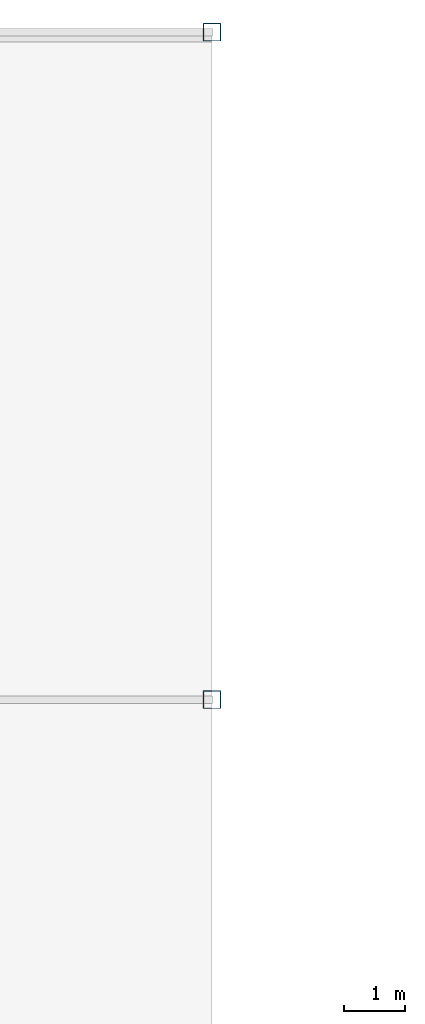
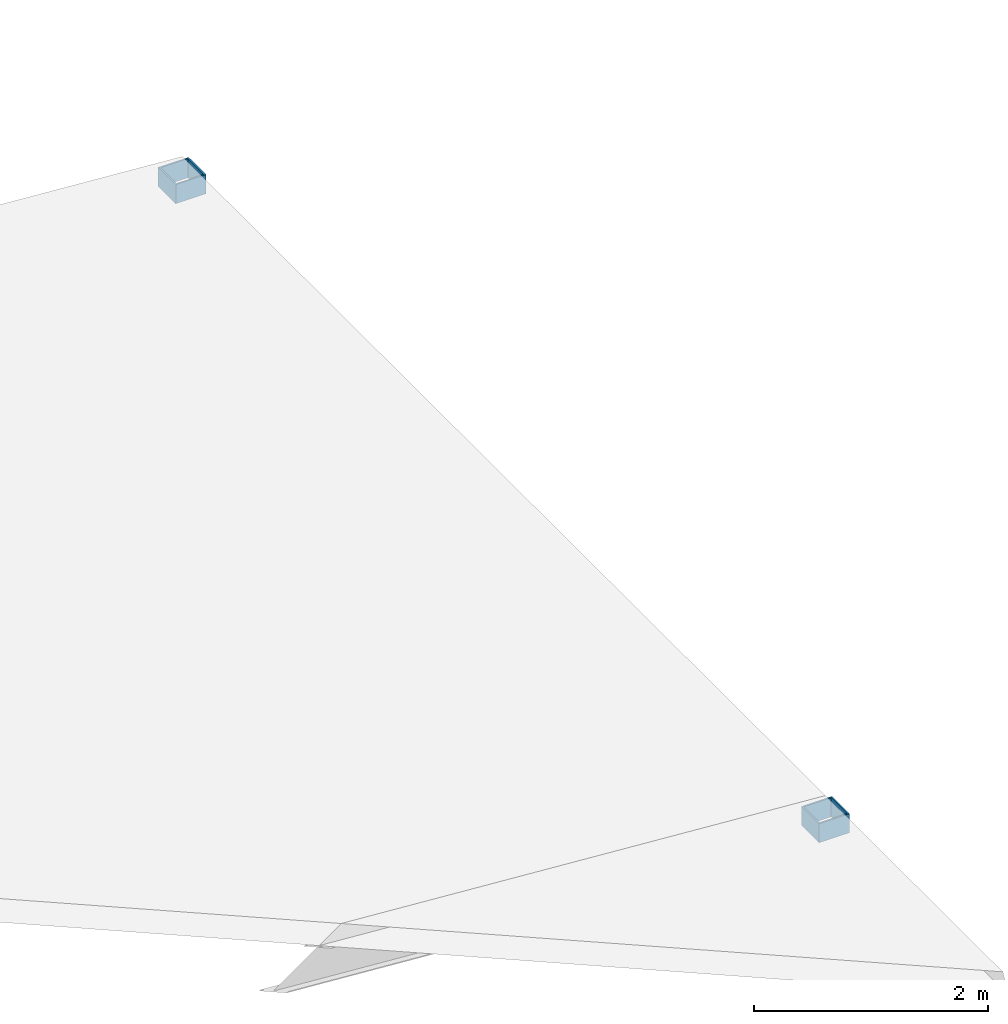
# One storey, part 22 of 118: 2 columns.
"""IFC4 building model written with IfcOpenShell, lengths in metres."""

from ifc_helpers import new_model, si_unit, direction, frame, origin, origin_2d, place, context, subcontext, project, spatial, hollow_rectangle, extrude, material, material_profile, profile_set, type_object, element, save


model = new_model("IFC4")

# Units and contexts
model_context = context("Model", 3, precision=1e-05, world=origin(), true_north=direction((0.0, 1.0)))
body_context = subcontext(model_context, "Body", "Model", "MODEL_VIEW")
ifc_project = project(units=[si_unit("LENGTHUNIT", "METRE"), si_unit("AREAUNIT", "SQUARE_METRE"), si_unit("VOLUMEUNIT", "CUBIC_METRE"), si_unit("PLANEANGLEUNIT", "RADIAN"), si_unit("MASSUNIT", "GRAM", prefix="KILO")], contexts=[model_context])

# Site, building, storey
site_placement = place(None, origin())
site = spatial("IfcSite", under=ifc_project, at=site_placement, CompositionType="ELEMENT")
building_placement = place(site_placement, origin())
building = spatial("IfcBuilding", under=site, at=building_placement, Name="Luwafu Chhajja Arena", CompositionType="ELEMENT")
storey_placement = place(building_placement, frame((0.0, 0.0, 10.199951171875)))
storey = spatial("IfcBuildingStorey", under=building, at=storey_placement, Name="L02", CompositionType="ELEMENT", Elevation=10.199951171875)

# Columns
ifc_material = material(Name="Steel S355", Category="steel")
ifc_material_profile = material_profile(ifc_material, hollow_rectangle(XDim=0.300048828125, YDim=0.300048828125, WallThickness=0.01611328125, at=origin_2d()), Name="SHS 300x300x16")
ifc_profile_set = profile_set([ifc_material_profile], Name="Steel S355")
column_type = type_object("IfcColumnType", Name="Steel Gallery Post SHS 300", PredefinedType="COLUMN", material=ifc_profile_set)
for number, where, z_axis, x_axis, name in (
    (1, (58.0, 110.0, 0.0), (0.0, 0.0, 1.0), (1.0, 0.0, 0.0), "L02 Cloister Post 4/10B"),
    (2, (58.0, 121.0, 0.0), (0.0, 0.0, 1.0), (1.0, 0.0, 0.0), "L02 Cloister Post 4/11B"),
):
    element("IfcColumn", number, at=place(storey_placement, frame(where, z_axis=z_axis, x_axis=x_axis)), inside=storey, type_object=column_type, Name=name, PredefinedType="COLUMN", context=body_context, shape_type="SweptSolid", body=[
        extrude(hollow_rectangle(XDim=0.300048828125, YDim=0.300048828125, WallThickness=0.01611328125, at=origin_2d()), origin(), (0.0, 0.0, 1.0), 0.199951171875),
    ])

save(model, "model.ifc")
